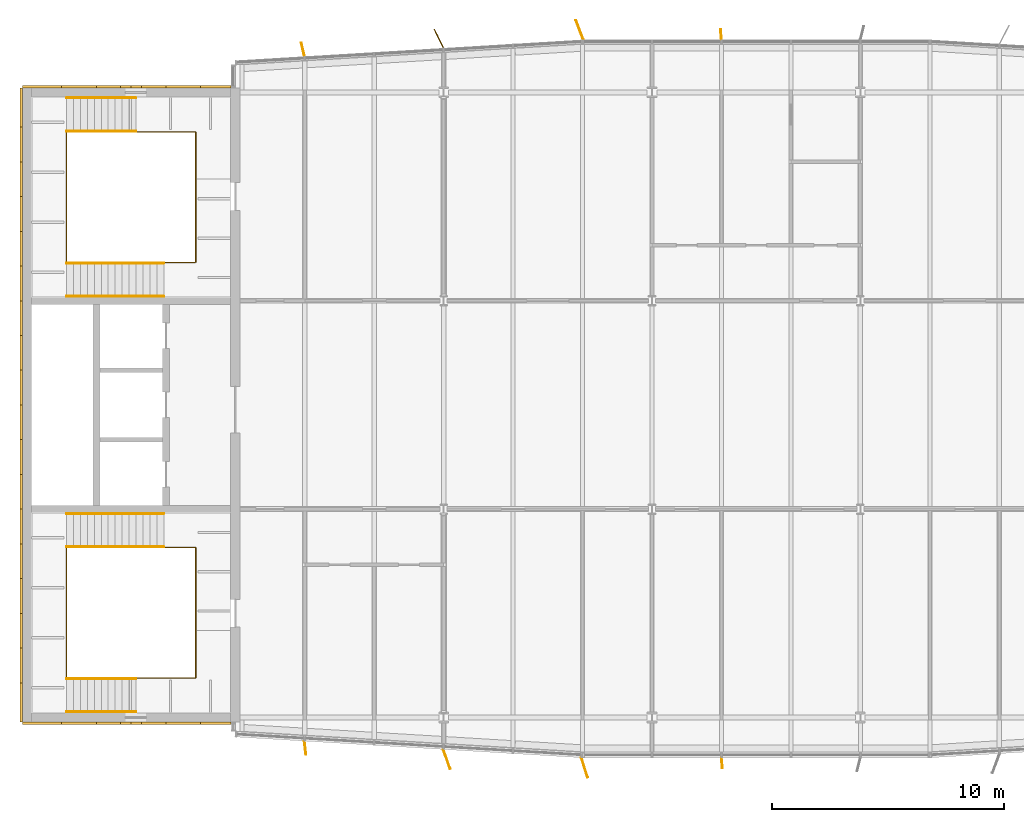
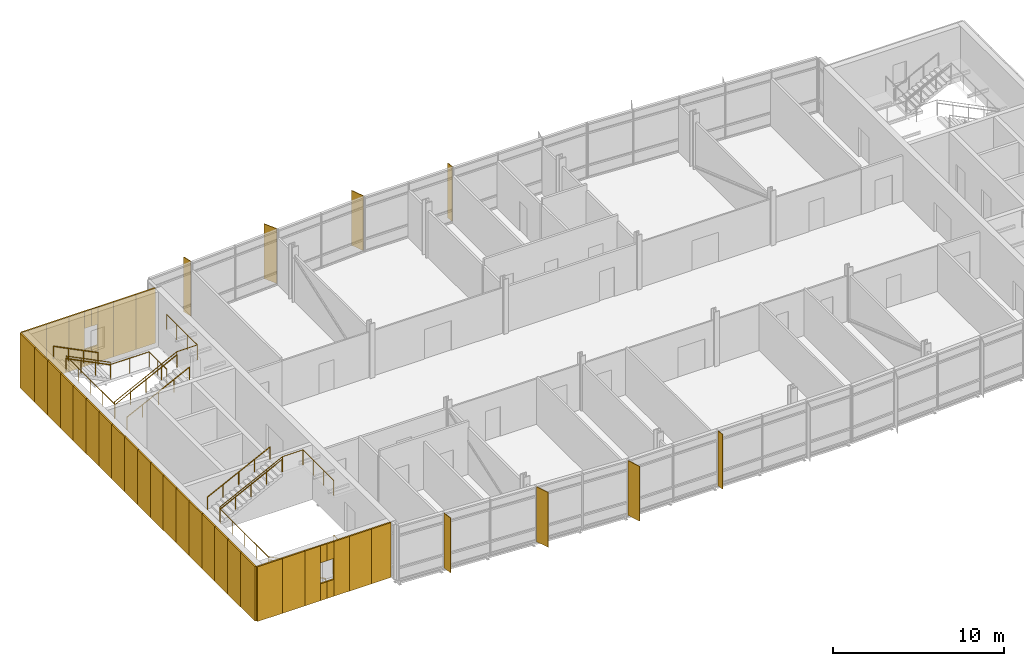
# One storey, part 20 of 21: 38 coverings, 10 railings, 8 shading devices.
"""IFC4 building model written with IfcOpenShell, lengths in metres."""

from ifc_helpers import new_model, si_unit, direction, frame, origin, origin_2d, place, context, subcontext, project, spatial, rectangle, circle, extrude, material, layer, layer_set, type_object, element, save


model = new_model("IFC4")

# Units and contexts
model_context = context("Model", 3, precision=1e-05, world=origin(), true_north=direction((0.0, 1.0)))
body_context = subcontext(model_context, "Body", "Model", "MODEL_VIEW")
ifc_project = project(units=[si_unit("LENGTHUNIT", "METRE"), si_unit("AREAUNIT", "SQUARE_METRE"), si_unit("VOLUMEUNIT", "CUBIC_METRE"), si_unit("PLANEANGLEUNIT", "RADIAN"), si_unit("MASSUNIT", "GRAM", prefix="KILO")], contexts=[model_context])

# Site, building, storey
site_placement = place(None, origin())
site = spatial("IfcSite", under=ifc_project, at=site_placement, CompositionType="ELEMENT")
building_placement = place(site_placement, origin())
building = spatial("IfcBuilding", under=site, at=building_placement, Name="Azimuth Sports and Learning Centre", CompositionType="ELEMENT")
storey_placement = place(building_placement, frame((0.0, 0.0, 48.0)))
storey = spatial("IfcBuildingStorey", under=building, at=storey_placement, Name="L10", CompositionType="ELEMENT", Elevation=48.0)

# Coverings
ifc_material_1 = material(Name="Cladding panel")
ifc_layer_1 = layer(ifc_material_1, 0.10009765625)
ifc_layer_set_1 = layer_set([ifc_layer_1], Name="Cladding panel")
covering_type = type_object("IfcCoveringType", Name="Cladding panel 100", PredefinedType="CLADDING", material=ifc_layer_set_1)
covering_1_placement = place(storey_placement, frame((54.64990234375, 89.75, 0.0), z_axis=(0.0, 0.0, 1.0), x_axis=(1.0, 0.0, 0.0)))
element("IfcCovering", 1, at=covering_1_placement, inside=storey, type_object=covering_type, Name="Cladding panel S-CORE W L10 1", PredefinedType="CLADDING", context=body_context, shape_type="SweptSolid", body=[
    extrude(rectangle(XDim=1.699951171875, YDim=0.10009765625, at=origin_2d()), origin(), (0.0, 0.0, 1.0), 3.89990234375),
])
covering_2_placement = place(storey_placement, frame((56.25, 89.75, 0.0), z_axis=(0.0, 0.0, 1.0), x_axis=(1.0, 0.0, 0.0)))
element("IfcCovering", 2, at=covering_2_placement, inside=storey, type_object=covering_type, Name="Cladding panel S-CORE W L10 2", PredefinedType="CLADDING", context=body_context, shape_type="SweptSolid", body=[
    extrude(rectangle(XDim=1.5, YDim=0.10009765625, at=origin_2d()), origin(), (0.0, 0.0, 1.0), 3.89990234375),
])
covering_3_placement = place(storey_placement, frame((57.52490234375, 89.75, 0.0), z_axis=(0.0, 0.0, 1.0), x_axis=(1.0, 0.0, 0.0)))
element("IfcCovering", 3, at=covering_3_placement, inside=storey, type_object=covering_type, Name="Cladding panel S-CORE W L10 3", PredefinedType="CLADDING", context=body_context, shape_type="SweptSolid", body=[
    extrude(rectangle(XDim=1.050048828125, YDim=0.10009765625, at=origin_2d()), origin(), (0.0, 0.0, 1.0), 3.89990234375),
])
for number, where, z_axis, x_axis, name in (
    (4, (58.27490234375, 89.75, 0.0), (0.0, 0.0, 1.0), (1.0, 0.0, 0.0), "Cladding panel S-CORE W L10 4"),
    (5, (58.27490234375, 89.75, 2.7001953125), (0.0, 0.0, 1.0), (1.0, 0.0, 0.0), "Cladding panel S-CORE W L10 5"),
):
    element("IfcCovering", number, at=place(storey_placement, frame(where, z_axis=z_axis, x_axis=x_axis)), inside=storey, type_object=covering_type, Name=name, PredefinedType="CLADDING", context=body_context, shape_type="SweptSolid", body=[
        extrude(rectangle(XDim=0.449951171875, YDim=0.10009765625, at=origin_2d()), origin(), (0.0, 0.0, 1.0), 1.199951171875),
    ])
covering_4_placement = place(storey_placement, frame((59.47509765625, 89.75, 0.0), z_axis=(0.0, 0.0, 1.0), x_axis=(1.0, 0.0, 0.0)))
element("IfcCovering", 6, at=covering_4_placement, inside=storey, type_object=covering_type, Name="Cladding panel S-CORE W L10 6", PredefinedType="CLADDING", context=body_context, shape_type="SweptSolid", body=[
    extrude(rectangle(XDim=1.050048828125, YDim=0.10009765625, at=origin_2d()), origin(), (0.0, 0.0, 1.0), 3.89990234375),
])
for number, where, z_axis, x_axis, name in (
    (7, (58.72509765625, 89.75, 0.0), (0.0, 0.0, 1.0), (1.0, 0.0, 0.0), "Cladding panel S-CORE W L10 7"),
    (8, (58.72509765625, 89.75, 2.7001953125), (0.0, 0.0, 1.0), (1.0, 0.0, 0.0), "Cladding panel S-CORE W L10 8"),
):
    element("IfcCovering", number, at=place(storey_placement, frame(where, z_axis=z_axis, x_axis=x_axis)), inside=storey, type_object=covering_type, Name=name, PredefinedType="CLADDING", context=body_context, shape_type="SweptSolid", body=[
        extrude(rectangle(XDim=0.449951171875, YDim=0.10009765625, at=origin_2d()), origin(), (0.0, 0.0, 1.0), 1.199951171875),
    ])
covering_5_placement = place(storey_placement, frame((60.75, 89.75, 0.0), z_axis=(0.0, 0.0, 1.0), x_axis=(1.0, 0.0, 0.0)))
element("IfcCovering", 9, at=covering_5_placement, inside=storey, type_object=covering_type, Name="Cladding panel S-CORE W L10 9", PredefinedType="CLADDING", context=body_context, shape_type="SweptSolid", body=[
    extrude(rectangle(XDim=1.5, YDim=0.10009765625, at=origin_2d()), origin(), (0.0, 0.0, 1.0), 3.89990234375),
])
for number, where, z_axis, x_axis, name in (
    (10, (62.159912109375, 89.75, 0.0), (0.0, 0.0, 1.0), (1.0, 0.0, 0.0), "Cladding panel S-CORE W L10 10"),
    (11, (62.159912109375, 117.25, 0.0), (0.0, 0.0, 1.0), (-1.0, 0.0, 0.0), "Cladding panel N-CORE W L10 1"),
):
    element("IfcCovering", number, at=place(storey_placement, frame(where, z_axis=z_axis, x_axis=x_axis)), inside=storey, type_object=covering_type, Name=name, PredefinedType="CLADDING", context=body_context, shape_type="SweptSolid", body=[
        extrude(rectangle(XDim=1.320068359375, YDim=0.10009765625, at=origin_2d()), origin(), (0.0, 0.0, 1.0), 3.89990234375),
    ])
covering_6_placement = place(storey_placement, frame((60.75, 117.25, 0.0), z_axis=(0.0, 0.0, 1.0), x_axis=(-1.0, 0.0, 0.0)))
element("IfcCovering", 12, at=covering_6_placement, inside=storey, type_object=covering_type, Name="Cladding panel N-CORE W L10 2", PredefinedType="CLADDING", context=body_context, shape_type="SweptSolid", body=[
    extrude(rectangle(XDim=1.5, YDim=0.10009765625, at=origin_2d()), origin(), (0.0, 0.0, 1.0), 3.89990234375),
])
covering_7_placement = place(storey_placement, frame((59.47509765625, 117.25, 0.0), z_axis=(0.0, 0.0, 1.0), x_axis=(-1.0, 0.0, 0.0)))
element("IfcCovering", 13, at=covering_7_placement, inside=storey, type_object=covering_type, Name="Cladding panel N-CORE W L10 3", PredefinedType="CLADDING", context=body_context, shape_type="SweptSolid", body=[
    extrude(rectangle(XDim=1.050048828125, YDim=0.10009765625, at=origin_2d()), origin(), (0.0, 0.0, 1.0), 3.89990234375),
])
for number, where, z_axis, x_axis, name in (
    (14, (58.72509765625, 117.25, 0.0), (0.0, 0.0, 1.0), (-1.0, 0.0, 0.0), "Cladding panel N-CORE W L10 4"),
    (15, (58.72509765625, 117.25, 2.7001953125), (0.0, 0.0, 1.0), (-1.0, 0.0, 0.0), "Cladding panel N-CORE W L10 5"),
):
    element("IfcCovering", number, at=place(storey_placement, frame(where, z_axis=z_axis, x_axis=x_axis)), inside=storey, type_object=covering_type, Name=name, PredefinedType="CLADDING", context=body_context, shape_type="SweptSolid", body=[
        extrude(rectangle(XDim=0.449951171875, YDim=0.10009765625, at=origin_2d()), origin(), (0.0, 0.0, 1.0), 1.199951171875),
    ])
covering_8_placement = place(storey_placement, frame((57.52490234375, 117.25, 0.0), z_axis=(0.0, 0.0, 1.0), x_axis=(-1.0, 0.0, 0.0)))
element("IfcCovering", 16, at=covering_8_placement, inside=storey, type_object=covering_type, Name="Cladding panel N-CORE W L10 6", PredefinedType="CLADDING", context=body_context, shape_type="SweptSolid", body=[
    extrude(rectangle(XDim=1.050048828125, YDim=0.10009765625, at=origin_2d()), origin(), (0.0, 0.0, 1.0), 3.89990234375),
])
for number, where, z_axis, x_axis, name in (
    (17, (58.27490234375, 117.25, 0.0), (0.0, 0.0, 1.0), (-1.0, 0.0, 0.0), "Cladding panel N-CORE W L10 7"),
    (18, (58.27490234375, 117.25, 2.7001953125), (0.0, 0.0, 1.0), (-1.0, 0.0, 0.0), "Cladding panel N-CORE W L10 8"),
):
    element("IfcCovering", number, at=place(storey_placement, frame(where, z_axis=z_axis, x_axis=x_axis)), inside=storey, type_object=covering_type, Name=name, PredefinedType="CLADDING", context=body_context, shape_type="SweptSolid", body=[
        extrude(rectangle(XDim=0.449951171875, YDim=0.10009765625, at=origin_2d()), origin(), (0.0, 0.0, 1.0), 1.199951171875),
    ])
covering_9_placement = place(storey_placement, frame((56.25, 117.25, 0.0), z_axis=(0.0, 0.0, 1.0), x_axis=(-1.0, 0.0, 0.0)))
element("IfcCovering", 19, at=covering_9_placement, inside=storey, type_object=covering_type, Name="Cladding panel N-CORE W L10 9", PredefinedType="CLADDING", context=body_context, shape_type="SweptSolid", body=[
    extrude(rectangle(XDim=1.5, YDim=0.10009765625, at=origin_2d()), origin(), (0.0, 0.0, 1.0), 3.89990234375),
])
for number, where, z_axis, x_axis, name in (
    (20, (54.64990234375, 117.25, 0.0), (0.0, 0.0, 1.0), (-1.0, 0.0, 0.0), "Cladding panel N-CORE W L10 10"),
    (21, (53.75, 116.35009765625, 0.0), (0.0, 0.0, 1.0), (0.0, -1.0, 0.0), "Cladding panel W-CORE W L10 1"),
):
    element("IfcCovering", number, at=place(storey_placement, frame(where, z_axis=z_axis, x_axis=x_axis)), inside=storey, type_object=covering_type, Name=name, PredefinedType="CLADDING", context=body_context, shape_type="SweptSolid", body=[
        extrude(rectangle(XDim=1.699951171875, YDim=0.10009765625, at=origin_2d()), origin(), (0.0, 0.0, 1.0), 3.89990234375),
    ])
for number, where, z_axis, x_axis, name in (
    (22, (53.75, 114.75, 0.0), (0.0, 0.0, 1.0), (0.0, -1.0, 0.0), "Cladding panel W-CORE W L10 2"),
    (23, (53.75, 113.25, 0.0), (0.0, 0.0, 1.0), (0.0, -1.0, 0.0), "Cladding panel W-CORE W L10 3"),
    (24, (53.75, 111.75, 0.0), (0.0, 0.0, 1.0), (0.0, -1.0, 0.0), "Cladding panel W-CORE W L10 4"),
    (25, (53.75, 110.25, 0.0), (0.0, 0.0, 1.0), (0.0, -1.0, 0.0), "Cladding panel W-CORE W L10 5"),
    (26, (53.75, 108.75, 0.0), (0.0, 0.0, 1.0), (0.0, -1.0, 0.0), "Cladding panel W-CORE W L10 6"),
    (27, (53.75, 107.25, 0.0), (0.0, 0.0, 1.0), (0.0, -1.0, 0.0), "Cladding panel W-CORE W L10 7"),
    (28, (53.75, 105.75, 0.0), (0.0, 0.0, 1.0), (0.0, -1.0, 0.0), "Cladding panel W-CORE W L10 8"),
    (29, (53.75, 104.25, 0.0), (0.0, 0.0, 1.0), (0.0, -1.0, 0.0), "Cladding panel W-CORE W L10 9"),
    (30, (53.75, 102.75, 0.0), (0.0, 0.0, 1.0), (0.0, -1.0, 0.0), "Cladding panel W-CORE W L10 10"),
    (31, (53.75, 101.25, 0.0), (0.0, 0.0, 1.0), (0.0, -1.0, 0.0), "Cladding panel W-CORE W L10 11"),
    (32, (53.75, 99.75, 0.0), (0.0, 0.0, 1.0), (0.0, -1.0, 0.0), "Cladding panel W-CORE W L10 12"),
    (33, (53.75, 98.25, 0.0), (0.0, 0.0, 1.0), (0.0, -1.0, 0.0), "Cladding panel W-CORE W L10 13"),
    (34, (53.75, 96.75, 0.0), (0.0, 0.0, 1.0), (0.0, -1.0, 0.0), "Cladding panel W-CORE W L10 14"),
    (35, (53.75, 95.25, 0.0), (0.0, 0.0, 1.0), (0.0, -1.0, 0.0), "Cladding panel W-CORE W L10 15"),
    (36, (53.75, 93.75, 0.0), (0.0, 0.0, 1.0), (0.0, -1.0, 0.0), "Cladding panel W-CORE W L10 16"),
    (37, (53.75, 92.25, 0.0), (0.0, 0.0, 1.0), (0.0, -1.0, 0.0), "Cladding panel W-CORE W L10 17"),
):
    element("IfcCovering", number, at=place(storey_placement, frame(where, z_axis=z_axis, x_axis=x_axis)), inside=storey, type_object=covering_type, Name=name, PredefinedType="CLADDING", context=body_context, shape_type="SweptSolid", body=[
        extrude(rectangle(XDim=1.5, YDim=0.10009765625, at=origin_2d()), origin(), (0.0, 0.0, 1.0), 3.89990234375),
    ])
covering_10_placement = place(storey_placement, frame((53.75, 90.64990234375, 0.0), z_axis=(0.0, 0.0, 1.0), x_axis=(0.0, -1.0, 0.0)))
element("IfcCovering", 38, at=covering_10_placement, inside=storey, type_object=covering_type, Name="Cladding panel W-CORE W L10 18", PredefinedType="CLADDING", context=body_context, shape_type="SweptSolid", body=[
    extrude(rectangle(XDim=1.699951171875, YDim=0.10009765625, at=origin_2d()), origin(), (0.0, 0.0, 1.0), 3.89990234375),
])

# Shading devices
ifc_material_2 = material(Name="Aluminium", Category="aluminium")
ifc_layer_2 = layer(ifc_material_2, 0.0400390625)
ifc_layer_set_2 = layer_set([ifc_layer_2], Name="Aluminium")
shading_device_type_1 = type_object("IfcShadingDeviceType", Name="Shading fin 450", PredefinedType="JALOUSIE", material=ifc_layer_set_2)
for number, where, z_axis, x_axis, name in (
    (39, (84.01953125, 88.035888671875, 0.0), (0.0, 0.0, 1.0), (0.086979796274, -0.996210075757, 0.0), "Shading fin F10-004"),
    (40, (83.98046875, 119.504150390625, 0.0), (0.0, 0.0, 1.0), (-0.086979796274, 0.996210075757, 0.0), "Shading fin F10-011"),
):
    element("IfcShadingDevice", number, at=place(storey_placement, frame(where, z_axis=z_axis, x_axis=x_axis)), inside=storey, type_object=shading_device_type_1, Name=name, PredefinedType="JALOUSIE", context=body_context, shape_type="SweptSolid", body=[
        extrude(rectangle(XDim=0.449951171875, YDim=0.0400390625, at=origin_2d()), origin(), (0.0, 0.0, 1.0), 3.89990234375),
    ])
ifc_material_3 = material(Name="Aluminium", Category="aluminium")
ifc_layer_3 = layer(ifc_material_3, 0.0400390625)
ifc_layer_set_3 = layer_set([ifc_layer_3], Name="Aluminium")
shading_device_type_2 = type_object("IfcShadingDeviceType", Name="Shading fin 600", PredefinedType="JALOUSIE", material=ifc_layer_set_3)
for number, where, z_axis, x_axis, name in (
    (41, (66.018798828125, 88.682373046875, 0.0), (0.0, 0.0, 1.0), (0.110221187796, -0.993907083062, 0.0), "Shading fin F10-001"),
    (42, (65.920654296875, 118.851806640625, 0.0), (0.0, 0.0, 1.0), (-0.228270881104, 0.973597660659, 0.0), "Shading fin F10-014"),
):
    element("IfcShadingDevice", number, at=place(storey_placement, frame(where, z_axis=z_axis, x_axis=x_axis)), inside=storey, type_object=shading_device_type_2, Name=name, PredefinedType="JALOUSIE", context=body_context, shape_type="SweptSolid", body=[
        extrude(rectangle(XDim=0.60009765625, YDim=0.0400390625, at=origin_2d()), origin(), (0.0, 0.0, 1.0), 3.89990234375),
    ])
ifc_material_4 = material(Name="Aluminium", Category="aluminium")
ifc_layer_4 = layer(ifc_material_4, 0.0400390625)
ifc_layer_set_4 = layer_set([ifc_layer_4], Name="Aluminium")
shading_device_type_3 = type_object("IfcShadingDeviceType", Name="Shading fin 900", PredefinedType="JALOUSIE", material=ifc_layer_set_4)
for number, where, z_axis, x_axis, name in (
    (43, (72.135009765625, 88.196044921875, 0.0), (0.0, 0.0, 1.0), (0.332025201964, -0.94327051542, 0.0), "Shading fin F10-002"),
    (44, (78.0849609375, 87.8330078125, 0.0), (0.0, 0.0, 1.0), (0.298224547315, -0.954495740891, 0.0), "Shading fin F10-003"),
    (45, (77.870361328125, 119.70068359375, 0.0), (0.0, 0.0, 1.0), (-0.354855844612, 0.934921028507, 0.0), "Shading fin F10-012"),
    (46, (71.7900390625, 119.3232421875, 0.0), (0.0, 0.0, 1.0), (-0.442429089314, 0.896803490698, 0.0), "Shading fin F10-013"),
):
    element("IfcShadingDevice", number, at=place(storey_placement, frame(where, z_axis=z_axis, x_axis=x_axis)), inside=storey, type_object=shading_device_type_3, Name=name, PredefinedType="JALOUSIE", context=body_context, shape_type="SweptSolid", body=[
        extrude(rectangle(XDim=0.89990234375, YDim=0.0400390625, at=origin_2d()), origin(), (0.0, 0.0, 1.0), 3.89990234375),
    ])

# Railings
ifc_material_5 = material(Name="Stainless steel", Category="steel")
railing_type_1 = type_object("IfcRailingType", Name="Stair guard 1100", PredefinedType="GUARDRAIL", material=ifc_material_5)
railing_1_placement = place(storey_placement, frame((61.2900390625, 93.75, 0.0)))
element("IfcRailing", 47, at=railing_1_placement, inside=storey, type_object=railing_type_1, Name="Guard W1 L10 well", PredefinedType="GUARDRAIL", context=body_context, shape_type="SweptSolid", body=[
    extrude(circle(Radius=0.02392578125, at=origin_2d()), frame((0.0, 0.0, 1.076171875), z_axis=(0.0, -1.0, 0.0), x_axis=(1.0, 0.0, 0.0)), (0.0, 0.0, 1.0), 2.0400390625),
    extrude(circle(Radius=0.02392578125, at=origin_2d()), frame((0.0, -2.0400390625, 1.076171875), z_axis=(-1.0, 0.0, 0.0), x_axis=(0.0, -1.0, 0.0)), (0.0, 0.0, 1.0), 2.580078125),
    extrude(circle(Radius=0.02392578125, at=origin_2d()), frame((-2.580078125, -2.0400390625, 1.076171875), z_axis=(0.0, 0.0, 1.0), x_axis=(1.0, 0.0, 0.0)), (0.0, 0.0, 1.0), 0.14990234375),
    extrude(circle(Radius=0.02392578125, at=origin_2d()), frame((-2.580078125, -2.0400390625, 1.22607421875), z_axis=(-0.894427191, 0.0, 0.4472135955), x_axis=(0.0, -1.0, 0.0)), (0.0, 0.0, 1.0), 3.35400390625),
    extrude(circle(Radius=0.02392578125, at=origin_2d()), frame((-5.580078125, -2.0400390625, 2.72607421875), z_axis=(0.0, 1.0, 0.0), x_axis=(-1.0, 0.0, 0.0)), (0.0, 0.0, 1.0), 5.630126953125),
    extrude(circle(Radius=0.02392578125, at=origin_2d()), frame((-5.580078125, 3.590087890625, 2.72607421875), z_axis=(0.0, 0.0, 1.0), x_axis=(1.0, 0.0, 0.0)), (0.0, 0.0, 1.0), 0.150146484375),
    extrude(circle(Radius=0.02392578125, at=origin_2d()), frame((-5.580078125, 3.590087890625, 2.8759765625), z_axis=(0.894437589381, 0.0, 0.447192798132), x_axis=(0.0, 1.0, 0.0)), (0.0, 0.0, 1.0), 4.695556640625),
    extrude(circle(Radius=0.02392578125, at=origin_2d()), frame((-1.380126953125, 3.590087890625, 4.97607421875), z_axis=(1.0, 0.0, 0.0), x_axis=(0.0, 1.0, 0.0)), (0.0, 0.0, 1.0), 1.380126953125),
    extrude(circle(Radius=0.02392578125, at=origin_2d()), frame((0.0, 3.590087890625, 4.97607421875), z_axis=(0.0, -1.0, 0.0), x_axis=(1.0, 0.0, 0.0)), (0.0, 0.0, 1.0), 3.590087890625),
    extrude(circle(Radius=0.01611328125, at=origin_2d()), origin(), (0.0, 0.0, 1.0), 1.052001953125),
    extrude(circle(Radius=0.01611328125, at=origin_2d()), frame((0.0, -1.02001953125, 0.0)), (0.0, 0.0, 1.0), 1.052001953125),
    extrude(circle(Radius=0.01611328125, at=origin_2d()), frame((0.0, -2.0400390625, 0.0)), (0.0, 0.0, 1.0), 1.052001953125),
    extrude(circle(Radius=0.01611328125, at=origin_2d()), frame((-1.2900390625, -2.0400390625, 0.0)), (0.0, 0.0, 1.0), 1.052001953125),
    extrude(circle(Radius=0.01611328125, at=origin_2d()), frame((-2.580078125, -2.0400390625, 0.0)), (0.0, 0.0, 1.0), 1.052001953125),
    extrude(circle(Radius=0.01611328125, at=origin_2d()), frame((-2.580078125, -2.0400390625, 0.14990234375)), (0.0, 0.0, 1.0), 1.052001953125),
    extrude(circle(Radius=0.01611328125, at=origin_2d()), frame((-3.580078125, -2.0400390625, 0.64990234375)), (0.0, 0.0, 1.0), 1.052001953125),
    extrude(circle(Radius=0.01611328125, at=origin_2d()), frame((-4.580078125, -2.0400390625, 1.14990234375)), (0.0, 0.0, 1.0), 1.052001953125),
    extrude(circle(Radius=0.01611328125, at=origin_2d()), frame((-5.580078125, -2.0400390625, 1.64990234375)), (0.0, 0.0, 1.0), 1.052001953125),
    extrude(circle(Radius=0.01611328125, at=origin_2d()), frame((-5.580078125, -0.632568359375, 1.64990234375)), (0.0, 0.0, 1.0), 1.052001953125),
    extrude(circle(Radius=0.01611328125, at=origin_2d()), frame((-5.580078125, 0.77490234375, 1.64990234375)), (0.0, 0.0, 1.0), 1.052001953125),
    extrude(circle(Radius=0.01611328125, at=origin_2d()), frame((-5.580078125, 2.1826171875, 1.64990234375)), (0.0, 0.0, 1.0), 1.052001953125),
    extrude(circle(Radius=0.01611328125, at=origin_2d()), frame((-5.580078125, 3.590087890625, 1.64990234375)), (0.0, 0.0, 1.0), 1.052001953125),
    extrude(circle(Radius=0.01611328125, at=origin_2d()), frame((-5.580078125, 3.590087890625, 1.800048828125)), (0.0, 0.0, 1.0), 1.052001953125),
    extrude(circle(Radius=0.01611328125, at=origin_2d()), frame((-4.530029296875, 3.590087890625, 2.324951171875)), (0.0, 0.0, 1.0), 1.052001953125),
    extrude(circle(Radius=0.01611328125, at=origin_2d()), frame((-3.47998046875, 3.590087890625, 2.85009765625)), (0.0, 0.0, 1.0), 1.052001953125),
    extrude(circle(Radius=0.01611328125, at=origin_2d()), frame((-2.43017578125, 3.590087890625, 3.375)), (0.0, 0.0, 1.0), 1.052001953125),
    extrude(circle(Radius=0.01611328125, at=origin_2d()), frame((-1.380126953125, 3.590087890625, 3.89990234375)), (0.0, 0.0, 1.0), 1.052001953125),
    extrude(circle(Radius=0.01611328125, at=origin_2d()), frame((0.0, 3.590087890625, 3.89990234375)), (0.0, 0.0, 1.0), 1.052001953125),
    extrude(circle(Radius=0.01611328125, at=origin_2d()), frame((0.0, 2.393310546875, 3.89990234375)), (0.0, 0.0, 1.0), 1.052001953125),
    extrude(circle(Radius=0.01611328125, at=origin_2d()), frame((0.0, 1.19677734375, 3.89990234375)), (0.0, 0.0, 1.0), 1.052001953125),
    extrude(circle(Radius=0.01611328125, at=origin_2d()), frame((0.0, 0.0, 3.89990234375)), (0.0, 0.0, 1.0), 1.052001953125),
])
railing_2_placement = place(storey_placement, frame((61.2900390625, 113.25, 0.0)))
element("IfcRailing", 48, at=railing_2_placement, inside=storey, type_object=railing_type_1, Name="Guard W2 L10 well", PredefinedType="GUARDRAIL", context=body_context, shape_type="SweptSolid", body=[
    extrude(circle(Radius=0.02392578125, at=origin_2d()), frame((0.0, 0.0, 1.076171875), z_axis=(0.0, 1.0, 0.0), x_axis=(-1.0, 0.0, 0.0)), (0.0, 0.0, 1.0), 2.0400390625),
    extrude(circle(Radius=0.02392578125, at=origin_2d()), frame((0.0, 2.0400390625, 1.076171875), z_axis=(-1.0, 0.0, 0.0), x_axis=(0.0, -1.0, 0.0)), (0.0, 0.0, 1.0), 2.580078125),
    extrude(circle(Radius=0.02392578125, at=origin_2d()), frame((-2.580078125, 2.0400390625, 1.076171875), z_axis=(0.0, 0.0, 1.0), x_axis=(1.0, 0.0, 0.0)), (0.0, 0.0, 1.0), 0.14990234375),
    extrude(circle(Radius=0.02392578125, at=origin_2d()), frame((-2.580078125, 2.0400390625, 1.22607421875), z_axis=(-0.894427191, 0.0, 0.4472135955), x_axis=(0.0, -1.0, 0.0)), (0.0, 0.0, 1.0), 3.35400390625),
    extrude(circle(Radius=0.02392578125, at=origin_2d()), frame((-5.580078125, 2.0400390625, 2.72607421875), z_axis=(0.0, -1.0, 0.0), x_axis=(1.0, 0.0, 0.0)), (0.0, 0.0, 1.0), 5.630126953125),
    extrude(circle(Radius=0.02392578125, at=origin_2d()), frame((-5.580078125, -3.590087890625, 2.72607421875), z_axis=(0.0, 0.0, 1.0), x_axis=(1.0, 0.0, 0.0)), (0.0, 0.0, 1.0), 0.150146484375),
    extrude(circle(Radius=0.02392578125, at=origin_2d()), frame((-5.580078125, -3.590087890625, 2.8759765625), z_axis=(0.894437589381, 0.0, 0.447192798132), x_axis=(0.0, 1.0, 0.0)), (0.0, 0.0, 1.0), 4.695556640625),
    extrude(circle(Radius=0.02392578125, at=origin_2d()), frame((-1.380126953125, -3.590087890625, 4.97607421875), z_axis=(1.0, 0.0, 0.0), x_axis=(0.0, 1.0, 0.0)), (0.0, 0.0, 1.0), 1.380126953125),
    extrude(circle(Radius=0.02392578125, at=origin_2d()), frame((0.0, -3.590087890625, 4.97607421875), z_axis=(0.0, 1.0, 0.0), x_axis=(-1.0, 0.0, 0.0)), (0.0, 0.0, 1.0), 3.590087890625),
    extrude(circle(Radius=0.01611328125, at=origin_2d()), origin(), (0.0, 0.0, 1.0), 1.052001953125),
    extrude(circle(Radius=0.01611328125, at=origin_2d()), frame((0.0, 1.02001953125, 0.0)), (0.0, 0.0, 1.0), 1.052001953125),
    extrude(circle(Radius=0.01611328125, at=origin_2d()), frame((0.0, 2.0400390625, 0.0)), (0.0, 0.0, 1.0), 1.052001953125),
    extrude(circle(Radius=0.01611328125, at=origin_2d()), frame((-1.2900390625, 2.0400390625, 0.0)), (0.0, 0.0, 1.0), 1.052001953125),
    extrude(circle(Radius=0.01611328125, at=origin_2d()), frame((-2.580078125, 2.0400390625, 0.0)), (0.0, 0.0, 1.0), 1.052001953125),
    extrude(circle(Radius=0.01611328125, at=origin_2d()), frame((-2.580078125, 2.0400390625, 0.14990234375)), (0.0, 0.0, 1.0), 1.052001953125),
    extrude(circle(Radius=0.01611328125, at=origin_2d()), frame((-3.580078125, 2.0400390625, 0.64990234375)), (0.0, 0.0, 1.0), 1.052001953125),
    extrude(circle(Radius=0.01611328125, at=origin_2d()), frame((-4.580078125, 2.0400390625, 1.14990234375)), (0.0, 0.0, 1.0), 1.052001953125),
    extrude(circle(Radius=0.01611328125, at=origin_2d()), frame((-5.580078125, 2.0400390625, 1.64990234375)), (0.0, 0.0, 1.0), 1.052001953125),
    extrude(circle(Radius=0.01611328125, at=origin_2d()), frame((-5.580078125, 0.632568359375, 1.64990234375)), (0.0, 0.0, 1.0), 1.052001953125),
    extrude(circle(Radius=0.01611328125, at=origin_2d()), frame((-5.580078125, -0.77490234375, 1.64990234375)), (0.0, 0.0, 1.0), 1.052001953125),
    extrude(circle(Radius=0.01611328125, at=origin_2d()), frame((-5.580078125, -2.1826171875, 1.64990234375)), (0.0, 0.0, 1.0), 1.052001953125),
    extrude(circle(Radius=0.01611328125, at=origin_2d()), frame((-5.580078125, -3.590087890625, 1.64990234375)), (0.0, 0.0, 1.0), 1.052001953125),
    extrude(circle(Radius=0.01611328125, at=origin_2d()), frame((-5.580078125, -3.590087890625, 1.800048828125)), (0.0, 0.0, 1.0), 1.052001953125),
    extrude(circle(Radius=0.01611328125, at=origin_2d()), frame((-4.530029296875, -3.590087890625, 2.324951171875)), (0.0, 0.0, 1.0), 1.052001953125),
    extrude(circle(Radius=0.01611328125, at=origin_2d()), frame((-3.47998046875, -3.590087890625, 2.85009765625)), (0.0, 0.0, 1.0), 1.052001953125),
    extrude(circle(Radius=0.01611328125, at=origin_2d()), frame((-2.43017578125, -3.590087890625, 3.375)), (0.0, 0.0, 1.0), 1.052001953125),
    extrude(circle(Radius=0.01611328125, at=origin_2d()), frame((-1.380126953125, -3.590087890625, 3.89990234375)), (0.0, 0.0, 1.0), 1.052001953125),
    extrude(circle(Radius=0.01611328125, at=origin_2d()), frame((0.0, -3.590087890625, 3.89990234375)), (0.0, 0.0, 1.0), 1.052001953125),
    extrude(circle(Radius=0.01611328125, at=origin_2d()), frame((0.0, -2.393310546875, 3.89990234375)), (0.0, 0.0, 1.0), 1.052001953125),
    extrude(circle(Radius=0.01611328125, at=origin_2d()), frame((0.0, -1.19677734375, 3.89990234375)), (0.0, 0.0, 1.0), 1.052001953125),
    extrude(circle(Radius=0.01611328125, at=origin_2d()), frame((0.0, 0.0, 3.89990234375)), (0.0, 0.0, 1.0), 1.052001953125),
])
ifc_material_6 = material(Name="Stainless steel", Category="steel")
railing_type_2 = type_object("IfcRailingType", Name="Stair handrail 42", PredefinedType="HANDRAIL", material=ifc_material_6)
for number, where, name in (
    (49, (58.7099609375, 91.679931640625, 0.14990234375), "Handrail W1 L10 flight 1 inner"),
    (50, (58.7099609375, 90.239990234375, 0.14990234375), "Handrail W1 L10 flight 1 outer"),
):
    element("IfcRailing", number, at=place(storey_placement, frame(where)), inside=storey, type_object=railing_type_2, Name=name, PredefinedType="HANDRAIL", context=body_context, shape_type="SweptSolid", body=[
        extrude(circle(Radius=0.02099609375, at=origin_2d()), frame((0.0, 0.0, 0.87890625), z_axis=(-0.894427191, 0.0, 0.4472135955), x_axis=(0.0, -1.0, 0.0)), (0.0, 0.0, 1.0), 3.35400390625),
        extrude(circle(Radius=0.01611328125, at=origin_2d()), origin(), (0.0, 0.0, 1.0), 0.85791015625),
        extrude(circle(Radius=0.01611328125, at=origin_2d()), frame((-1.0, 0.0, 0.5)), (0.0, 0.0, 1.0), 0.85791015625),
        extrude(circle(Radius=0.01611328125, at=origin_2d()), frame((-2.0, 0.0, 1.0)), (0.0, 0.0, 1.0), 0.85791015625),
        extrude(circle(Radius=0.01611328125, at=origin_2d()), frame((-3.0, 0.0, 1.5)), (0.0, 0.0, 1.0), 0.85791015625),
    ])
for number, where, name in (
    (51, (55.7099609375, 97.3701171875, 1.800048828125), "Handrail W1 L10 flight 2 inner"),
    (52, (55.7099609375, 98.81005859375, 1.800048828125), "Handrail W1 L10 flight 2 outer"),
):
    element("IfcRailing", number, at=place(storey_placement, frame(where)), inside=storey, type_object=railing_type_2, Name=name, PredefinedType="HANDRAIL", context=body_context, shape_type="SweptSolid", body=[
        extrude(circle(Radius=0.02099609375, at=origin_2d()), frame((0.0, 0.0, 0.87890625), z_axis=(0.894437589381, 0.0, 0.447192798132), x_axis=(0.0, 1.0, 0.0)), (0.0, 0.0, 1.0), 4.695556640625),
        extrude(circle(Radius=0.01611328125, at=origin_2d()), origin(), (0.0, 0.0, 1.0), 0.85791015625),
        extrude(circle(Radius=0.01611328125, at=origin_2d()), frame((1.050048828125, 0.0, 0.52490234375)), (0.0, 0.0, 1.0), 0.85791015625),
        extrude(circle(Radius=0.01611328125, at=origin_2d()), frame((2.10009765625, 0.0, 1.0498046875)), (0.0, 0.0, 1.0), 0.85791015625),
        extrude(circle(Radius=0.01611328125, at=origin_2d()), frame((3.14990234375, 0.0, 1.574951171875)), (0.0, 0.0, 1.0), 0.85791015625),
        extrude(circle(Radius=0.01611328125, at=origin_2d()), frame((4.199951171875, 0.0, 2.099853515625)), (0.0, 0.0, 1.0), 0.85791015625),
    ])
for number, where, name in (
    (53, (58.7099609375, 115.320068359375, 0.14990234375), "Handrail W2 L10 flight 1 inner"),
    (54, (58.7099609375, 116.760009765625, 0.14990234375), "Handrail W2 L10 flight 1 outer"),
):
    element("IfcRailing", number, at=place(storey_placement, frame(where)), inside=storey, type_object=railing_type_2, Name=name, PredefinedType="HANDRAIL", context=body_context, shape_type="SweptSolid", body=[
        extrude(circle(Radius=0.02099609375, at=origin_2d()), frame((0.0, 0.0, 0.87890625), z_axis=(-0.894427191, 0.0, 0.4472135955), x_axis=(0.0, -1.0, 0.0)), (0.0, 0.0, 1.0), 3.35400390625),
        extrude(circle(Radius=0.01611328125, at=origin_2d()), origin(), (0.0, 0.0, 1.0), 0.85791015625),
        extrude(circle(Radius=0.01611328125, at=origin_2d()), frame((-1.0, 0.0, 0.5)), (0.0, 0.0, 1.0), 0.85791015625),
        extrude(circle(Radius=0.01611328125, at=origin_2d()), frame((-2.0, 0.0, 1.0)), (0.0, 0.0, 1.0), 0.85791015625),
        extrude(circle(Radius=0.01611328125, at=origin_2d()), frame((-3.0, 0.0, 1.5)), (0.0, 0.0, 1.0), 0.85791015625),
    ])
for number, where, name in (
    (55, (55.7099609375, 109.6298828125, 1.800048828125), "Handrail W2 L10 flight 2 inner"),
    (56, (55.7099609375, 108.18994140625, 1.800048828125), "Handrail W2 L10 flight 2 outer"),
):
    element("IfcRailing", number, at=place(storey_placement, frame(where)), inside=storey, type_object=railing_type_2, Name=name, PredefinedType="HANDRAIL", context=body_context, shape_type="SweptSolid", body=[
        extrude(circle(Radius=0.02099609375, at=origin_2d()), frame((0.0, 0.0, 0.87890625), z_axis=(0.894437589381, 0.0, 0.447192798132), x_axis=(0.0, 1.0, 0.0)), (0.0, 0.0, 1.0), 4.695556640625),
        extrude(circle(Radius=0.01611328125, at=origin_2d()), origin(), (0.0, 0.0, 1.0), 0.85791015625),
        extrude(circle(Radius=0.01611328125, at=origin_2d()), frame((1.050048828125, 0.0, 0.52490234375)), (0.0, 0.0, 1.0), 0.85791015625),
        extrude(circle(Radius=0.01611328125, at=origin_2d()), frame((2.10009765625, 0.0, 1.0498046875)), (0.0, 0.0, 1.0), 0.85791015625),
        extrude(circle(Radius=0.01611328125, at=origin_2d()), frame((3.14990234375, 0.0, 1.574951171875)), (0.0, 0.0, 1.0), 0.85791015625),
        extrude(circle(Radius=0.01611328125, at=origin_2d()), frame((4.199951171875, 0.0, 2.099853515625)), (0.0, 0.0, 1.0), 0.85791015625),
    ])

save(model, "model.ifc")
